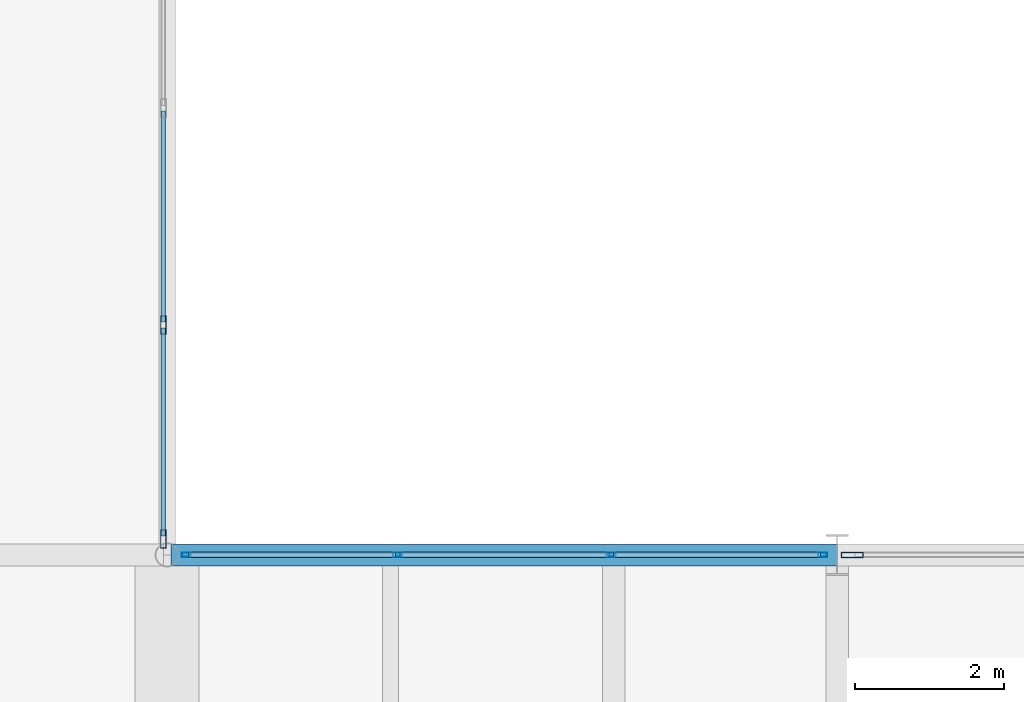
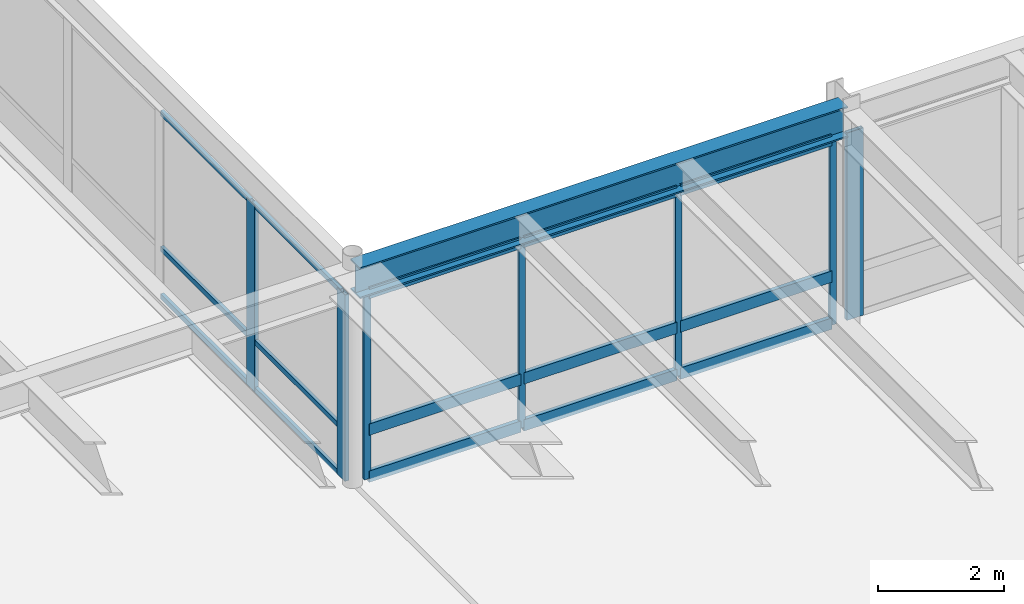
# One storey, part 35 of 127: 22 members, 1 beam, 3 elements without a shape of their own.
"""IFC4 building model written with IfcOpenShell, lengths in metres."""

from ifc_helpers import new_model, si_unit, direction, frame, origin, origin_2d, place, context, subcontext, project, spatial, hollow_rectangle, i_section, extrude, material, layer, layer_set, material_profile, profile_set, type_object, element, aggregate, save


model = new_model("IFC4")

# Units and contexts
model_context = context("Model", 3, precision=1e-05, world=origin(), true_north=direction((0.0, 1.0)))
body_context = subcontext(model_context, "Body", "Model", "MODEL_VIEW")
ifc_project = project(units=[si_unit("LENGTHUNIT", "METRE"), si_unit("AREAUNIT", "SQUARE_METRE"), si_unit("VOLUMEUNIT", "CUBIC_METRE"), si_unit("PLANEANGLEUNIT", "RADIAN"), si_unit("MASSUNIT", "GRAM", prefix="KILO")], contexts=[model_context])

# Site, building, storey
site_placement = place(None, origin())
site = spatial("IfcSite", under=ifc_project, at=site_placement, CompositionType="ELEMENT")
building_placement = place(site_placement, origin())
building = spatial("IfcBuilding", under=site, at=building_placement, Name="Montelvaro Courts of Justice", CompositionType="ELEMENT")
storey_placement = place(building_placement, frame((0.0, 0.0, 5.39990234375)))
storey = spatial("IfcBuildingStorey", under=building, at=storey_placement, Name="L01", CompositionType="ELEMENT", Elevation=5.39990234375)

# Beam
ifc_material_1 = material(Name="Steel S355", Category="steel")
ifc_material_profile_1 = material_profile(ifc_material_1, i_section(OverallWidth=0.300048828125, OverallDepth=0.60009765625, WebThickness=0.015380859375, FlangeThickness=0.030029296875, at=origin_2d()), Name="HEB 600")
ifc_profile_set_1 = profile_set([ifc_material_profile_1], Name="Steel S355")
beam_type = type_object("IfcBeamType", Name="Beam_HEB600", PredefinedType="USERDEFINED", material=ifc_profile_set_1)
beam_placement = place(storey_placement, frame((81.050048828125, 42.0, 3.940185546875), z_axis=(1.0, 0.0, 0.0), x_axis=(0.0, 1.0, 0.0)))
element("IfcBeam", 1, at=beam_placement, inside=storey, type_object=beam_type, Name="Beam B-26 L01", ObjectType="GIRDER", PredefinedType="USERDEFINED", context=body_context, shape_type="SweptSolid", body=[
    extrude(i_section(OverallWidth=0.300048828125, OverallDepth=0.60009765625, WebThickness=0.015380859375, FlangeThickness=0.030029296875, at=origin_2d()), origin(), (0.0, 0.0, 1.0), 8.949951171875),
])

# Curtain wall, members
ifc_material_2 = material(Name="Anodised aluminium EN AW-6063", Category="aluminium")
ifc_layer_1 = layer(ifc_material_2, 0.159912109375)
ifc_layer_set_1 = layer_set([ifc_layer_1], Name="Anodised aluminium EN AW-6063")
curtain_wall_type_1 = type_object("IfcCurtainWallType", Name="CurtainWall_17_861x418", PredefinedType="USERDEFINED", material=ifc_layer_set_1)
curtain_wall_1_placement = place(storey_placement, origin())
curtain_wall_1 = element("IfcCurtainWall", 2, at=curtain_wall_1_placement, inside=storey, type_object=curtain_wall_type_1, Name="Curtain Wall CW-17 (L01)", ObjectType="CURTAIN WALL", PredefinedType="USERDEFINED")
ifc_material_profile_2 = material_profile(ifc_material_2, hollow_rectangle(XDim=0.06005859375, YDim=0.1201171875, WallThickness=0.00341796875, at=origin_2d()), Name="ALU-M 60x120")
ifc_profile_set_2 = profile_set([ifc_material_profile_2], Name="Anodised aluminium EN AW-6063")
member_type_1 = type_object("IfcMemberType", Name="CurtainWall_Mullion_60x120", PredefinedType="MULLION", material=ifc_profile_set_2)
member_1_placement = place(storey_placement, frame((89.804931640625, 42.0, 0.0), z_axis=(0.0, 0.0, 1.0), x_axis=(0.0, -1.0, 0.0)))
member_1 = element("IfcMember", 3, at=member_1_placement, type_object=member_type_1, Name="CW-17 mullion 1", PredefinedType="MULLION", context=body_context, shape_type="SweptSolid", body=[
    extrude(hollow_rectangle(XDim=0.06005859375, YDim=0.1201171875, WallThickness=0.00341796875, at=origin_2d()), origin(), (0.0, 0.0, 1.0), 3.635009765625),
])
member_2_placement = place(storey_placement, frame((86.965576171875, 42.0, 0.0), z_axis=(0.0, 0.0, 1.0), x_axis=(0.0, -1.0, 0.0)))
member_2 = element("IfcMember", 4, at=member_2_placement, type_object=member_type_1, Name="CW-17 mullion 2", PredefinedType="MULLION", context=body_context, shape_type="SweptSolid", body=[
    extrude(hollow_rectangle(XDim=0.06005859375, YDim=0.1201171875, WallThickness=0.00341796875, at=origin_2d()), origin(), (0.0, 0.0, 1.0), 3.635009765625),
])
member_3_placement = place(storey_placement, frame((84.096435546875, 42.0, 0.0), z_axis=(0.0, 0.0, 1.0), x_axis=(0.0, -1.0, 0.0)))
member_3 = element("IfcMember", 5, at=member_3_placement, type_object=member_type_1, Name="CW-17 mullion 3", PredefinedType="MULLION", context=body_context, shape_type="SweptSolid", body=[
    extrude(hollow_rectangle(XDim=0.06005859375, YDim=0.1201171875, WallThickness=0.00341796875, at=origin_2d()), origin(), (0.0, 0.0, 1.0), 3.635009765625),
])
member_4_placement = place(storey_placement, frame((81.257080078125, 42.0, 0.0), z_axis=(0.0, 0.0, 1.0), x_axis=(0.0, -1.0, 0.0)))
member_4 = element("IfcMember", 6, at=member_4_placement, type_object=member_type_1, Name="CW-17 mullion 4", PredefinedType="MULLION", context=body_context, shape_type="SweptSolid", body=[
    extrude(hollow_rectangle(XDim=0.06005859375, YDim=0.1201171875, WallThickness=0.00341796875, at=origin_2d()), origin(), (0.0, 0.0, 1.0), 3.635009765625),
])

ifc_layer_2 = layer(ifc_material_2, 0.159912109375)
ifc_layer_set_2 = layer_set([ifc_layer_2], Name="Anodised aluminium EN AW-6063")
curtain_wall_type_2 = type_object("IfcCurtainWallType", Name="CurtainWall_16_1165x418", PredefinedType="USERDEFINED", material=ifc_layer_set_2)
curtain_wall_2_placement = place(storey_placement, origin())
curtain_wall_2 = element("IfcCurtainWall", 7, at=curtain_wall_2_placement, inside=storey, type_object=curtain_wall_type_2, Name="Curtain Wall CW-16 (L01)", ObjectType="CURTAIN WALL", PredefinedType="USERDEFINED")
ifc_material_profile_3 = material_profile(ifc_material_2, hollow_rectangle(XDim=0.074951171875, YDim=0.25, WallThickness=0.005615234375, at=origin_2d()), Name="ALU-M 75x250")
ifc_profile_set_3 = profile_set([ifc_material_profile_3], Name="Anodised aluminium EN AW-6063")
member_type_2 = type_object("IfcMemberType", Name="CurtainWall_Mullion_75x250", PredefinedType="MULLION", material=ifc_profile_set_3)
member_5_placement = place(storey_placement, frame((80.949951171875, 42.21435546875, 0.0), z_axis=(0.0, 0.0, 1.0), x_axis=(-1.0, 0.0, 0.0)))
member_5 = element("IfcMember", 8, at=member_5_placement, type_object=member_type_2, Name="CW-16 mullion 1", PredefinedType="MULLION", context=body_context, shape_type="SweptSolid", body=[
    extrude(hollow_rectangle(XDim=0.074951171875, YDim=0.25, WallThickness=0.005615234375, at=origin_2d()), origin(), (0.0, 0.0, 1.0), 3.614990234375),
])
member_6_placement = place(storey_placement, frame((80.949951171875, 45.08837890625, 0.0), z_axis=(0.0, 0.0, 1.0), x_axis=(-1.0, 0.0, 0.0)))
member_6 = element("IfcMember", 9, at=member_6_placement, type_object=member_type_2, Name="CW-16 mullion 2", PredefinedType="MULLION", context=body_context, shape_type="SweptSolid", body=[
    extrude(hollow_rectangle(XDim=0.074951171875, YDim=0.25, WallThickness=0.005615234375, at=origin_2d()), origin(), (0.0, 0.0, 1.0), 3.614990234375),
])

# Curtain wall, member
curtain_wall_3_placement = place(storey_placement, origin())
curtain_wall_3 = element("IfcCurtainWall", 10, at=curtain_wall_3_placement, inside=storey, type_object=curtain_wall_type_1, Name="Curtain Wall CW-17 (L01)", ObjectType="CURTAIN WALL", PredefinedType="USERDEFINED")
ifc_material_profile_4 = material_profile(ifc_material_2, hollow_rectangle(XDim=0.074951171875, YDim=0.300048828125, WallThickness=0.006103515625, at=origin_2d()), Name="ALU-M 75x300")
ifc_profile_set_4 = profile_set([ifc_material_profile_4], Name="Anodised aluminium EN AW-6063")
member_type_3 = type_object("IfcMemberType", Name="CurtainWall_Mullion_75x300", PredefinedType="MULLION", material=ifc_profile_set_4)
member_7_placement = place(storey_placement, frame((90.202392578125, 42.0, 0.0), z_axis=(0.0, 0.0, 1.0), x_axis=(0.0, -1.0, 0.0)))
member_7 = element("IfcMember", 11, at=member_7_placement, type_object=member_type_3, Name="CW-17 mullion 4", PredefinedType="MULLION", context=body_context, shape_type="SweptSolid", body=[
    extrude(hollow_rectangle(XDim=0.074951171875, YDim=0.300048828125, WallThickness=0.006103515625, at=origin_2d()), origin(), (0.0, 0.0, 1.0), 3.635009765625),
])
aggregate(curtain_wall_3, [member_7])

# Member
ifc_material_profile_5 = material_profile(ifc_material_2, hollow_rectangle(XDim=0.06005859375, YDim=0.10009765625, WallThickness=0.00341796875, at=origin_2d()), Name="ALU-T 60x100")
ifc_profile_set_5 = profile_set([ifc_material_profile_5], Name="Anodised aluminium EN AW-6063")
member_type_4 = type_object("IfcMemberType", Name="CurtainWall_Transom_60x100", PredefinedType="USERDEFINED", material=ifc_profile_set_5)
member_8_placement = place(storey_placement, frame((80.949951171875, 42.251953125, 0.030029296875), z_axis=(0.0, 1.0, 0.0), x_axis=(-1.0, 0.0, 0.0)))
member_8 = element("IfcMember", 12, at=member_8_placement, type_object=member_type_4, Name="CW-16 transom 1.1", ObjectType="TRANSOM", PredefinedType="USERDEFINED", context=body_context, shape_type="SweptSolid", body=[
    extrude(hollow_rectangle(XDim=0.06005859375, YDim=0.10009765625, WallThickness=0.00341796875, at=origin_2d()), origin(), (0.0, 0.0, 1.0), 2.799072265625),
])

member_9_placement = place(storey_placement, frame((80.949951171875, 42.251953125, 0.9501953125), z_axis=(0.0, 1.0, 0.0), x_axis=(-1.0, 0.0, 0.0)))
member_9 = element("IfcMember", 13, at=member_9_placement, type_object=member_type_4, Name="CW-16 transom 1.2", ObjectType="TRANSOM", PredefinedType="USERDEFINED", context=body_context, shape_type="SweptSolid", body=[
    extrude(hollow_rectangle(XDim=0.06005859375, YDim=0.10009765625, WallThickness=0.00341796875, at=origin_2d()), origin(), (0.0, 0.0, 1.0), 2.799072265625),
])

member_10_placement = place(storey_placement, frame((80.949951171875, 42.251953125, 3.585205078125), z_axis=(0.0, 1.0, 0.0), x_axis=(-1.0, 0.0, 0.0)))
member_10 = element("IfcMember", 14, at=member_10_placement, type_object=member_type_4, Name="CW-16 transom 1.3", ObjectType="TRANSOM", PredefinedType="USERDEFINED", context=body_context, shape_type="SweptSolid", body=[
    extrude(hollow_rectangle(XDim=0.06005859375, YDim=0.10009765625, WallThickness=0.00341796875, at=origin_2d()), origin(), (0.0, 0.0, 1.0), 2.799072265625),
])

member_11_placement = place(storey_placement, frame((80.949951171875, 45.1259765625, 0.030029296875), z_axis=(0.0, 1.0, 0.0), x_axis=(-1.0, 0.0, 0.0)))
member_11 = element("IfcMember", 15, at=member_11_placement, type_object=member_type_4, Name="CW-16 transom 2.1", ObjectType="TRANSOM", PredefinedType="USERDEFINED", context=body_context, shape_type="SweptSolid", body=[
    extrude(hollow_rectangle(XDim=0.06005859375, YDim=0.10009765625, WallThickness=0.00341796875, at=origin_2d()), origin(), (0.0, 0.0, 1.0), 2.83642578125),
])

member_12_placement = place(storey_placement, frame((80.949951171875, 45.1259765625, 0.9501953125), z_axis=(0.0, 1.0, 0.0), x_axis=(-1.0, 0.0, 0.0)))
member_12 = element("IfcMember", 16, at=member_12_placement, type_object=member_type_4, Name="CW-16 transom 2.2", ObjectType="TRANSOM", PredefinedType="USERDEFINED", context=body_context, shape_type="SweptSolid", body=[
    extrude(hollow_rectangle(XDim=0.06005859375, YDim=0.10009765625, WallThickness=0.00341796875, at=origin_2d()), origin(), (0.0, 0.0, 1.0), 2.83642578125),
])

member_13_placement = place(storey_placement, frame((80.949951171875, 45.1259765625, 3.585205078125), z_axis=(0.0, 1.0, 0.0), x_axis=(-1.0, 0.0, 0.0)))
member_13 = element("IfcMember", 17, at=member_13_placement, type_object=member_type_4, Name="CW-16 transom 2.3", ObjectType="TRANSOM", PredefinedType="USERDEFINED", context=body_context, shape_type="SweptSolid", body=[
    extrude(hollow_rectangle(XDim=0.06005859375, YDim=0.10009765625, WallThickness=0.00341796875, at=origin_2d()), origin(), (0.0, 0.0, 1.0), 2.83642578125),
])

aggregate(curtain_wall_2, [member_5, member_6, member_8, member_9, member_10, member_11, member_12, member_13])

ifc_material_profile_6 = material_profile(ifc_material_2, hollow_rectangle(XDim=0.074951171875, YDim=0.219970703125, WallThickness=0.005615234375, at=origin_2d()), Name="ALU-T 75x220")
ifc_profile_set_6 = profile_set([ifc_material_profile_6], Name="Anodised aluminium EN AW-6063")
member_type_5 = type_object("IfcMemberType", Name="CurtainWall_Transom_75x220", PredefinedType="USERDEFINED", material=ifc_profile_set_6)
member_14_placement = place(storey_placement, frame((89.77490234375, 42.0, 0.03759765625), z_axis=(-1.0, 0.0, 0.0), x_axis=(0.0, -1.0, 0.0)))
member_14 = element("IfcMember", 18, at=member_14_placement, type_object=member_type_5, Name="CW-17 transom 1.1", ObjectType="TRANSOM", PredefinedType="USERDEFINED", context=body_context, shape_type="SweptSolid", body=[
    extrude(hollow_rectangle(XDim=0.074951171875, YDim=0.219970703125, WallThickness=0.005615234375, at=origin_2d()), origin(), (0.0, 0.0, 1.0), 2.779296875),
])

member_15_placement = place(storey_placement, frame((89.77490234375, 42.0, 0.9501953125), z_axis=(-1.0, 0.0, 0.0), x_axis=(0.0, -1.0, 0.0)))
member_15 = element("IfcMember", 19, at=member_15_placement, type_object=member_type_5, Name="CW-17 transom 1.2", ObjectType="TRANSOM", PredefinedType="USERDEFINED", context=body_context, shape_type="SweptSolid", body=[
    extrude(hollow_rectangle(XDim=0.074951171875, YDim=0.219970703125, WallThickness=0.005615234375, at=origin_2d()), origin(), (0.0, 0.0, 1.0), 2.779296875),
])

member_16_placement = place(storey_placement, frame((89.77490234375, 42.0, 3.59765625), z_axis=(-1.0, 0.0, 0.0), x_axis=(0.0, -1.0, 0.0)))
member_16 = element("IfcMember", 20, at=member_16_placement, type_object=member_type_5, Name="CW-17 transom 1.3", ObjectType="TRANSOM", PredefinedType="USERDEFINED", context=body_context, shape_type="SweptSolid", body=[
    extrude(hollow_rectangle(XDim=0.074951171875, YDim=0.219970703125, WallThickness=0.005615234375, at=origin_2d()), origin(), (0.0, 0.0, 1.0), 2.779296875),
])

member_17_placement = place(storey_placement, frame((86.935546875, 42.0, 0.03759765625), z_axis=(-1.0, 0.0, 0.0), x_axis=(0.0, -1.0, 0.0)))
member_17 = element("IfcMember", 21, at=member_17_placement, type_object=member_type_5, Name="CW-17 transom 2.1", ObjectType="TRANSOM", PredefinedType="USERDEFINED", context=body_context, shape_type="SweptSolid", body=[
    extrude(hollow_rectangle(XDim=0.074951171875, YDim=0.219970703125, WallThickness=0.005615234375, at=origin_2d()), origin(), (0.0, 0.0, 1.0), 2.809326171875),
])

member_18_placement = place(storey_placement, frame((86.935546875, 42.0, 0.9501953125), z_axis=(-1.0, 0.0, 0.0), x_axis=(0.0, -1.0, 0.0)))
member_18 = element("IfcMember", 22, at=member_18_placement, type_object=member_type_5, Name="CW-17 transom 2.2", ObjectType="TRANSOM", PredefinedType="USERDEFINED", context=body_context, shape_type="SweptSolid", body=[
    extrude(hollow_rectangle(XDim=0.074951171875, YDim=0.219970703125, WallThickness=0.005615234375, at=origin_2d()), origin(), (0.0, 0.0, 1.0), 2.809326171875),
])

member_19_placement = place(storey_placement, frame((86.935546875, 42.0, 3.59765625), z_axis=(-1.0, 0.0, 0.0), x_axis=(0.0, -1.0, 0.0)))
member_19 = element("IfcMember", 23, at=member_19_placement, type_object=member_type_5, Name="CW-17 transom 2.3", ObjectType="TRANSOM", PredefinedType="USERDEFINED", context=body_context, shape_type="SweptSolid", body=[
    extrude(hollow_rectangle(XDim=0.074951171875, YDim=0.219970703125, WallThickness=0.005615234375, at=origin_2d()), origin(), (0.0, 0.0, 1.0), 2.809326171875),
])

member_20_placement = place(storey_placement, frame((84.06640625, 42.0, 0.03759765625), z_axis=(-1.0, 0.0, 0.0), x_axis=(0.0, -1.0, 0.0)))
member_20 = element("IfcMember", 24, at=member_20_placement, type_object=member_type_5, Name="CW-17 transom 3.1", ObjectType="TRANSOM", PredefinedType="USERDEFINED", context=body_context, shape_type="SweptSolid", body=[
    extrude(hollow_rectangle(XDim=0.074951171875, YDim=0.219970703125, WallThickness=0.005615234375, at=origin_2d()), origin(), (0.0, 0.0, 1.0), 2.779296875),
])

member_21_placement = place(storey_placement, frame((84.06640625, 42.0, 0.9501953125), z_axis=(-1.0, 0.0, 0.0), x_axis=(0.0, -1.0, 0.0)))
member_21 = element("IfcMember", 25, at=member_21_placement, type_object=member_type_5, Name="CW-17 transom 3.2", ObjectType="TRANSOM", PredefinedType="USERDEFINED", context=body_context, shape_type="SweptSolid", body=[
    extrude(hollow_rectangle(XDim=0.074951171875, YDim=0.219970703125, WallThickness=0.005615234375, at=origin_2d()), origin(), (0.0, 0.0, 1.0), 2.779296875),
])

member_22_placement = place(storey_placement, frame((84.06640625, 42.0, 3.59765625), z_axis=(-1.0, 0.0, 0.0), x_axis=(0.0, -1.0, 0.0)))
member_22 = element("IfcMember", 26, at=member_22_placement, type_object=member_type_5, Name="CW-17 transom 3.3", ObjectType="TRANSOM", PredefinedType="USERDEFINED", context=body_context, shape_type="SweptSolid", body=[
    extrude(hollow_rectangle(XDim=0.074951171875, YDim=0.219970703125, WallThickness=0.005615234375, at=origin_2d()), origin(), (0.0, 0.0, 1.0), 2.779296875),
])

aggregate(curtain_wall_1, [member_1, member_2, member_3, member_4, member_14, member_15, member_16, member_17, member_18, member_19, member_20, member_21, member_22])

save(model, "model.ifc")
